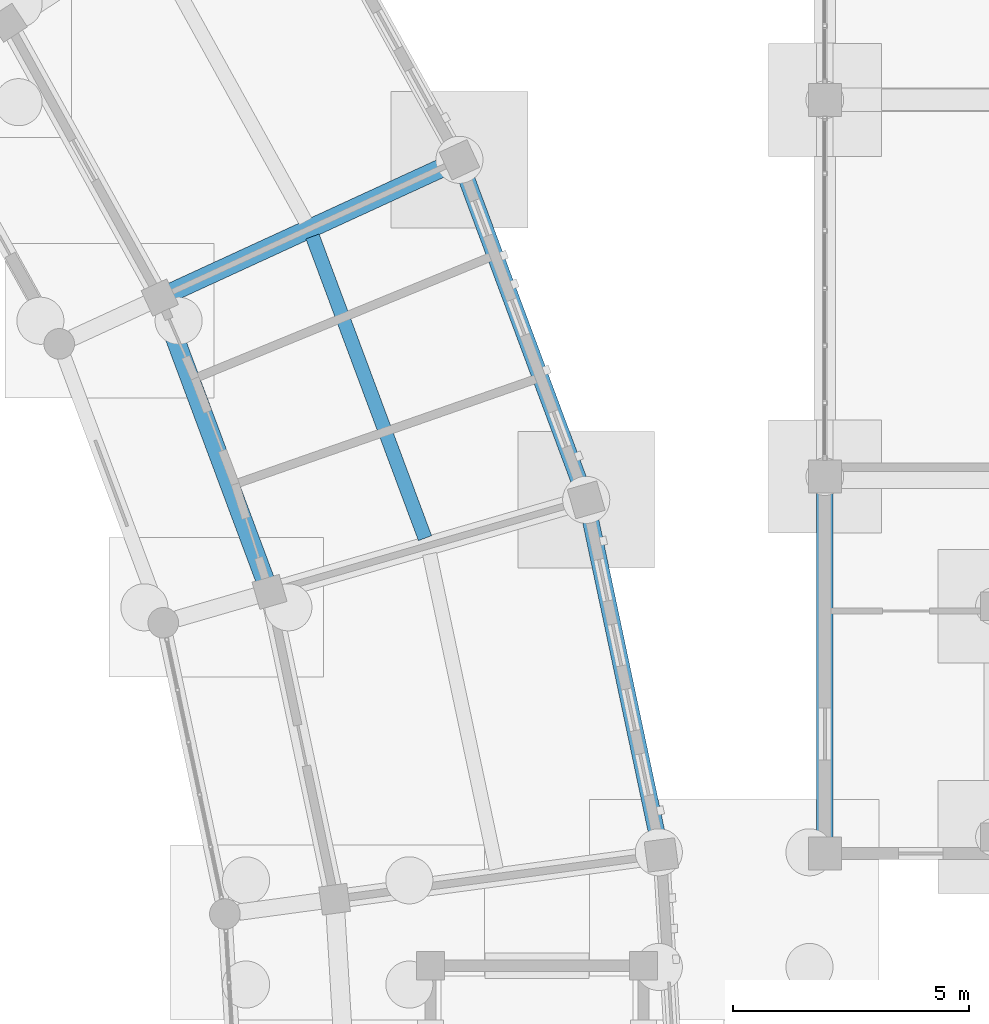
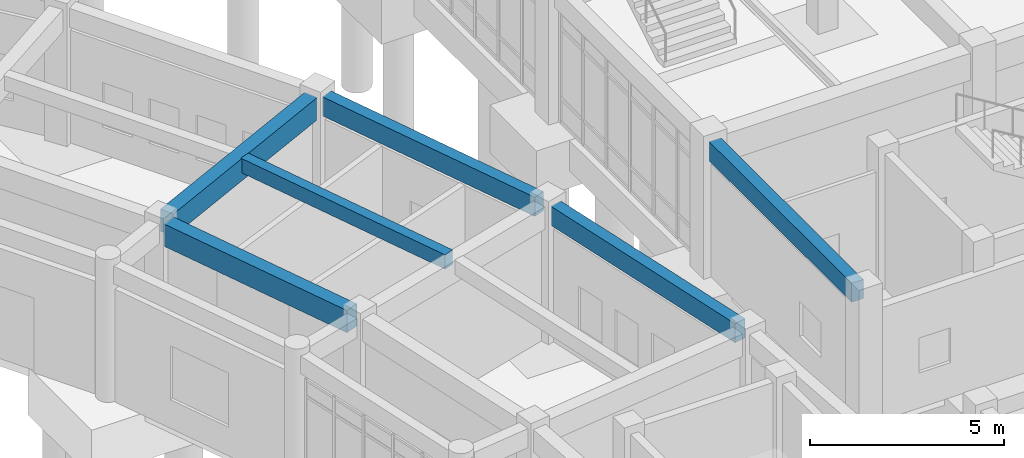
# One storey, part 92 of 153: 6 beams.
"""IFC4 building model written with IfcOpenShell, lengths in metres."""

from ifc_helpers import new_model, si_unit, direction, frame, origin, origin_2d, place, context, subcontext, project, spatial, rectangle, extrude, material, material_profile, profile_set, type_object, element, save


model = new_model("IFC4")

# Units and contexts
model_context = context("Model", 3, precision=1e-05, world=origin(), true_north=direction((0.0, 1.0)))
body_context = subcontext(model_context, "Body", "Model", "MODEL_VIEW")
ifc_project = project(units=[si_unit("LENGTHUNIT", "METRE"), si_unit("AREAUNIT", "SQUARE_METRE"), si_unit("VOLUMEUNIT", "CUBIC_METRE"), si_unit("PLANEANGLEUNIT", "RADIAN"), si_unit("MASSUNIT", "GRAM", prefix="KILO")], contexts=[model_context])

# Site, building, storey
site_placement = place(None, origin())
site = spatial("IfcSite", under=ifc_project, at=site_placement, CompositionType="ELEMENT")
building_placement = place(site_placement, origin())
building = spatial("IfcBuilding", under=site, at=building_placement, Name="Celadon Cloister-Ring School", CompositionType="ELEMENT")
storey_placement = place(building_placement, origin())
storey = spatial("IfcBuildingStorey", under=building, at=storey_placement, Name="L00", CompositionType="ELEMENT", Elevation=0.0)

# Beams
ifc_material_1 = material(Name="Concrete C35/45", Category="concrete")
ifc_material_profile_1 = material_profile(ifc_material_1, rectangle(XDim=0.35009765625, YDim=0.60009765625, at=origin_2d()), Name="RC350X600")
ifc_profile_set_1 = profile_set([ifc_material_profile_1], Name="Concrete C35/45")
beam_type_1 = type_object("IfcBeamType", Name="BT-02", PredefinedType="BEAM", material=ifc_profile_set_1)
beam_1_placement = place(storey_placement, frame((142.0, 66.324951171875, 3.9599609375), z_axis=(0.0, 1.0, 0.0), x_axis=(-1.0, 0.0, 0.0)))
element("IfcBeam", 1, at=beam_1_placement, inside=storey, type_object=beam_type_1, Name="Beam 1131", PredefinedType="BEAM", context=body_context, shape_type="SweptSolid", body=[
    extrude(rectangle(XDim=0.35009765625, YDim=0.60009765625, at=origin_2d()), origin(), (0.0, 0.0, 1.0), 7.35009765625),
])
ifc_material_2 = material(Name="Concrete C35/45", Category="concrete")
ifc_material_profile_2 = material_profile(ifc_material_2, rectangle(XDim=0.39990234375, YDim=0.699951171875, at=origin_2d()), Name="RC400X700")
ifc_profile_set_2 = profile_set([ifc_material_profile_2], Name="Concrete C35/45")
beam_type_2 = type_object("IfcBeamType", Name="GT-03", PredefinedType="USERDEFINED", material=ifc_profile_set_2)
beam_2_placement = place(storey_placement, frame((133.970947265625, 80.60107421875, 3.929931640625), z_axis=(-0.90848583601, -0.417915644322, 0.0), x_axis=(0.417915644322, -0.90848583601, 0.0)))
element("IfcBeam", 2, at=beam_2_placement, inside=storey, type_object=beam_type_2, Name="Beam 0059", ObjectType="GIRDER", PredefinedType="USERDEFINED", context=body_context, shape_type="SweptSolid", body=[
    extrude(rectangle(XDim=0.39990234375, YDim=0.699951171875, at=origin_2d()), origin(), (0.0, 0.0, 1.0), 6.4248046875),
])
beam_3_placement = place(storey_placement, frame((130.116943359375, 71.81298828125, 3.929931640625), z_axis=(-0.349434130372, 0.936960932233, 0.0), x_axis=(-0.936960932233, -0.349434130372, 0.0)))
element("IfcBeam", 3, at=beam_3_placement, inside=storey, type_object=beam_type_2, Name="Beam 0180", ObjectType="GIRDER", PredefinedType="USERDEFINED", context=body_context, shape_type="SweptSolid", body=[
    extrude(rectangle(XDim=0.39990234375, YDim=0.699951171875, at=origin_2d()), origin(), (0.0, 0.0, 1.0), 6.115478515625),
])
ifc_material_3 = material(Name="Concrete C35/45", Category="concrete")
ifc_material_profile_3 = material_profile(ifc_material_3, rectangle(XDim=0.300048828125, YDim=0.449951171875, at=origin_2d()), Name="RC300X450")
ifc_profile_set_3 = profile_set([ifc_material_profile_3], Name="Concrete C35/45")
beam_type_3 = type_object("IfcBeamType", Name="JT-01", PredefinedType="JOIST", material=ifc_profile_set_3)
beam_4_placement = place(storey_placement, frame((133.512939453125, 72.695068359375, 4.054931640625), z_axis=(-0.349380854663, 0.936980799374, 0.0), x_axis=(-0.936980799374, -0.349380854663, 0.0)))
element("IfcBeam", 4, at=beam_4_placement, inside=storey, type_object=beam_type_3, Name="Beam 0182", PredefinedType="JOIST", context=body_context, shape_type="SweptSolid", body=[
    extrude(rectangle(XDim=0.300048828125, YDim=0.449951171875, at=origin_2d()), origin(), (0.0, 0.0, 1.0), 6.834716796875),
])
ifc_material_4 = material(Name="Concrete C35/45", Category="concrete")
ifc_material_profile_4 = material_profile(ifc_material_4, rectangle(XDim=0.35009765625, YDim=0.60009765625, at=origin_2d()), Name="RC350X600")
ifc_profile_set_4 = profile_set([ifc_material_profile_4], Name="Concrete C35/45")
beam_type_4 = type_object("IfcBeamType", Name="SP-01", PredefinedType="SPANDREL", material=ifc_profile_set_4)
beam_5_placement = place(storey_placement, frame((138.468994140625, 66.263916015625, 3.97998046875), z_axis=(-0.207158448317, 0.978307404291, 0.0), x_axis=(-0.978307404291, -0.207158448317, 0.0)))
element("IfcBeam", 5, at=beam_5_placement, inside=storey, type_object=beam_type_4, Name="Beam 0175", PredefinedType="SPANDREL", context=body_context, shape_type="SweptSolid", body=[
    extrude(rectangle(XDim=0.35009765625, YDim=0.60009765625, at=origin_2d()), origin(), (0.0, 0.0, 1.0), 7.105224609375),
])
beam_6_placement = place(storey_placement, frame((136.830078125, 73.7890625, 3.97998046875), z_axis=(-0.34926584062, 0.937023677703, 0.0), x_axis=(-0.937023677703, -0.34926584062, 0.0)))
element("IfcBeam", 6, at=beam_6_placement, inside=storey, type_object=beam_type_4, Name="Beam 0179", PredefinedType="SPANDREL", context=body_context, shape_type="SweptSolid", body=[
    extrude(rectangle(XDim=0.35009765625, YDim=0.60009765625, at=origin_2d()), origin(), (0.0, 0.0, 1.0), 7.103271484375),
])

save(model, "model.ifc")
